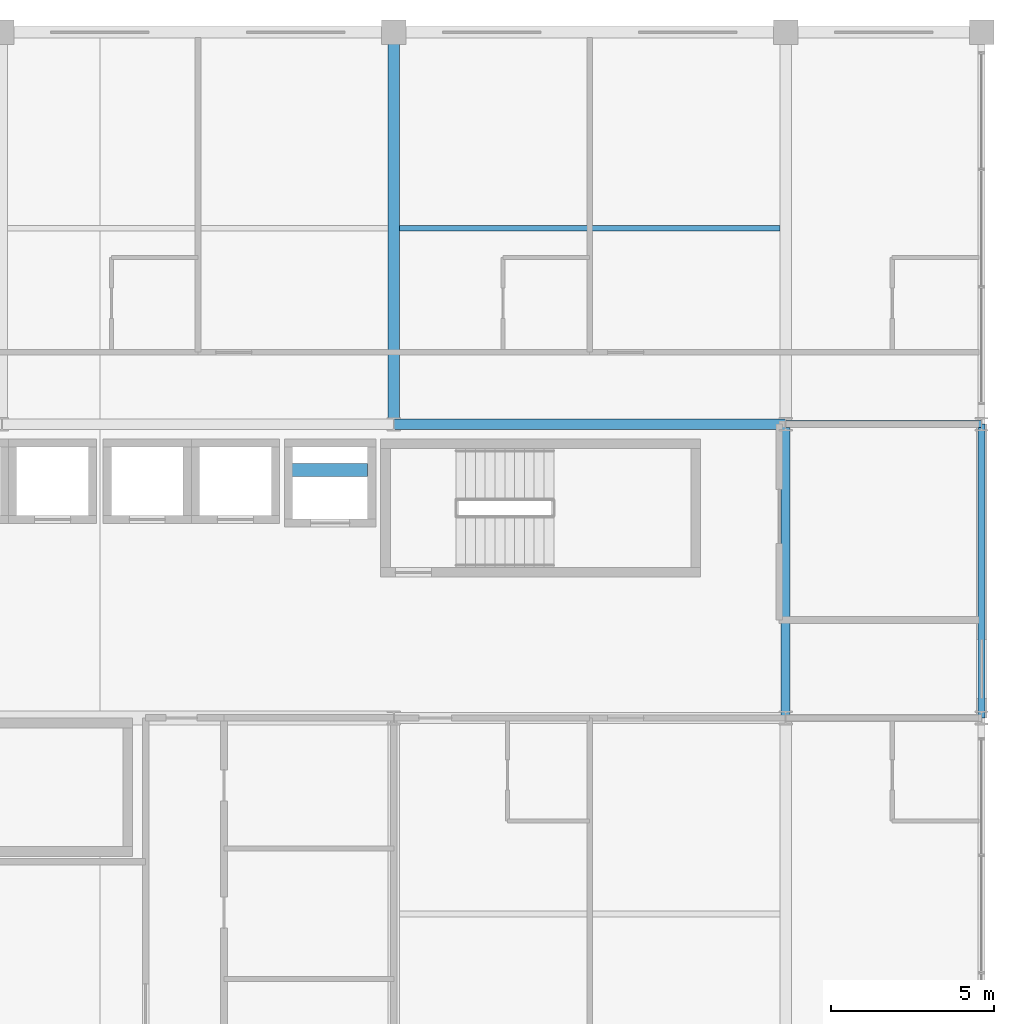
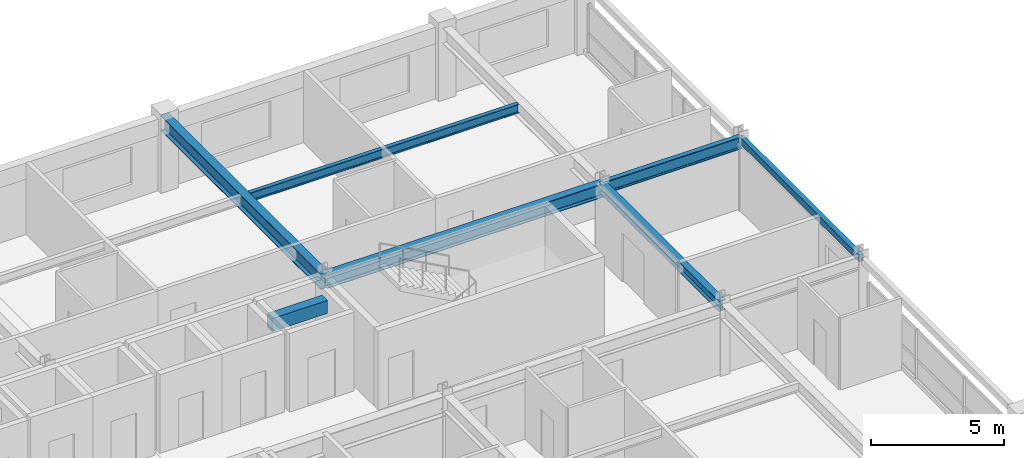
# One storey, part 10 of 20: 7 beams.
"""IFC4 building model written with IfcOpenShell, lengths in metres."""

from ifc_helpers import new_model, si_unit, direction, frame, origin, origin_2d, place, context, subcontext, project, spatial, rectangle, hollow_rectangle, i_section, extrude, material, material_profile, profile_set, type_object, element, save


model = new_model("IFC4")

# Units and contexts
model_context = context("Model", 3, precision=1e-05, world=origin(), true_north=direction((0.0, 1.0)))
body_context = subcontext(model_context, "Body", "Model", "MODEL_VIEW")
ifc_project = project(units=[si_unit("LENGTHUNIT", "METRE"), si_unit("AREAUNIT", "SQUARE_METRE"), si_unit("VOLUMEUNIT", "CUBIC_METRE"), si_unit("PLANEANGLEUNIT", "RADIAN"), si_unit("MASSUNIT", "GRAM", prefix="KILO")], contexts=[model_context])

# Site, building, storey
site_placement = place(None, origin())
site = spatial("IfcSite", under=ifc_project, at=site_placement, CompositionType="ELEMENT")
building_placement = place(site_placement, origin())
building = spatial("IfcBuilding", under=site, at=building_placement, Name="Kaldorvane Square Convention Centre", CompositionType="ELEMENT")
storey_placement = place(building_placement, frame((0.0, 0.0, 52.80000305175781)))
storey = spatial("IfcBuildingStorey", under=building, at=storey_placement, Name="L12", CompositionType="ELEMENT", Elevation=52.80000305175781)

# Beams
ifc_material_1 = material(Name="Steel ASTM A992 Gr. 50", Category="steel")
ifc_material_profile_1 = material_profile(ifc_material_1, i_section(OverallWidth=0.213897705078125, OverallDepth=0.549102783203125, WebThickness=0.0146942138671875, FlangeThickness=0.0236053466796875, FilletRadius=0.0126953125, at=origin_2d()), Name="W21X93")
ifc_profile_set_1 = profile_set([ifc_material_profile_1], Name="Steel ASTM A992 Gr. 50")
beam_type_1 = type_object("IfcBeamType", Name="BM-GR-W21X93", PredefinedType="BEAM", material=ifc_profile_set_1)
beam_1_placement = place(storey_placement, frame((78.0, 105.0, 3.0114898681640625), z_axis=(1.0, 0.0, 0.0), x_axis=(0.0, 1.0, 0.0)))
element("IfcBeam", 1, at=beam_1_placement, inside=storey, type_object=beam_type_1, Name="Primary Girder (L12)", PredefinedType="BEAM", context=body_context, shape_type="SweptSolid", body=[
    extrude(i_section(OverallWidth=0.213897705078125, OverallDepth=0.549102783203125, WebThickness=0.0146942138671875, FlangeThickness=0.0236053466796875, FilletRadius=0.0126953125, at=origin_2d()), origin(), (0.0, 0.0, 1.0), 6.0),
])
ifc_material_profile_2 = material_profile(ifc_material_1, i_section(OverallWidth=0.326507568359375, OverallDepth=0.621795654296875, WebThickness=0.0153961181640625, FlangeThickness=0.0243988037109375, FilletRadius=0.0126953125, at=origin_2d()), Name="W24X131")
ifc_profile_set_2 = profile_set([ifc_material_profile_2], Name="Steel ASTM A992 Gr. 50")
beam_type_2 = type_object("IfcBeamType", Name="BM-GR-W24X131", PredefinedType="BEAM", material=ifc_profile_set_2)
beam_2_placement = place(storey_placement, frame((66.0, 105.0, 2.97509765625), z_axis=(1.0, 0.0, 0.0), x_axis=(0.0, 1.0, 0.0)))
element("IfcBeam", 2, at=beam_2_placement, inside=storey, type_object=beam_type_2, Name="Primary Girder (L12)", PredefinedType="BEAM", context=body_context, shape_type="SweptSolid", body=[
    extrude(i_section(OverallWidth=0.326507568359375, OverallDepth=0.621795654296875, WebThickness=0.0153961181640625, FlangeThickness=0.0243988037109375, FilletRadius=0.0126953125, at=origin_2d()), origin(), (0.0, 0.0, 1.0), 12.0),
])
ifc_material_profile_3 = material_profile(ifc_material_1, i_section(OverallWidth=0.354705810546875, OverallDepth=0.69549560546875, WebThickness=0.0153961181640625, FlangeThickness=0.0251007080078125, FilletRadius=0.01519775390625, at=origin_2d()), Name="W27X146")
ifc_profile_set_3 = profile_set([ifc_material_profile_3], Name="Steel ASTM A992 Gr. 50")
beam_type_3 = type_object("IfcBeamType", Name="BM-GR-W27X146", PredefinedType="BEAM", material=ifc_profile_set_3)
beam_3_placement = place(storey_placement, frame((66.0, 105.0, 2.93829345703125), z_axis=(0.0, 1.0, 0.0), x_axis=(-1.0, 0.0, 0.0)))
element("IfcBeam", 3, at=beam_3_placement, inside=storey, type_object=beam_type_3, Name="Transverse Girder (L12)", PredefinedType="BEAM", context=body_context, shape_type="SweptSolid", body=[
    extrude(i_section(OverallWidth=0.354705810546875, OverallDepth=0.69549560546875, WebThickness=0.0153961181640625, FlangeThickness=0.0251007080078125, FilletRadius=0.01519775390625, at=origin_2d()), origin(), (0.0, 0.0, 1.0), 12.0),
])
ifc_material_profile_4 = material_profile(ifc_material_1, i_section(OverallWidth=0.177398681640625, OverallDepth=0.403106689453125, WebThickness=0.00750732421875, FlangeThickness=0.010894775390625, FilletRadius=0.01019287109375, at=origin_2d()), Name="W16X36")
ifc_profile_set_4 = profile_set([ifc_material_profile_4], Name="Steel ASTM A992 Gr. 50")
beam_type_4 = type_object("IfcBeamType", Name="BM-JS-W16X36", PredefinedType="JOIST", material=ifc_profile_set_4)
beam_4_placement = place(storey_placement, frame((66.17739868164062, 111.0, 3.084503173828125), z_axis=(1.0, 0.0, 0.0), x_axis=(0.0, 1.0, 0.0)))
element("IfcBeam", 4, at=beam_4_placement, inside=storey, type_object=beam_type_4, Name="Secondary Floor Joist (L12)", PredefinedType="JOIST", context=body_context, shape_type="SweptSolid", body=[
    extrude(i_section(OverallWidth=0.177398681640625, OverallDepth=0.403106689453125, WebThickness=0.00750732421875, FlangeThickness=0.010894775390625, FilletRadius=0.01019287109375, at=origin_2d()), origin(), (0.0, 0.0, 1.0), 11.64520263671875),
])
ifc_material_profile_5 = material_profile(ifc_material_1, i_section(OverallWidth=0.2799072265625, OverallDepth=0.462799072265625, WebThickness=0.01080322265625, FlangeThickness=0.017303466796875, FilletRadius=0.01019287109375, at=origin_2d()), Name="W18X76")
ifc_profile_set_5 = profile_set([ifc_material_profile_5], Name="Steel ASTM A992 Gr. 50")
beam_type_5 = type_object("IfcBeamType", Name="BM-JS-W18X76", PredefinedType="JOIST", material=ifc_profile_set_5)
beam_5_placement = place(storey_placement, frame((78.0, 96.0, 3.054595947265625), z_axis=(0.0, 1.0, 0.0), x_axis=(-1.0, 0.0, 0.0)))
element("IfcBeam", 5, at=beam_5_placement, inside=storey, type_object=beam_type_5, Name="Transverse Girder (L12)", PredefinedType="JOIST", context=body_context, shape_type="SweptSolid", body=[
    extrude(i_section(OverallWidth=0.2799072265625, OverallDepth=0.462799072265625, WebThickness=0.01080322265625, FlangeThickness=0.017303466796875, FilletRadius=0.01019287109375, at=origin_2d()), origin(), (0.0, 0.0, 1.0), 9.0),
])
ifc_material_2 = material(Name="Concrete f'c = 42 MPa (Normalweight)", Category="concrete")
ifc_material_profile_6 = material_profile(ifc_material_2, rectangle(XDim=0.399993896484375, YDim=0.600006103515625, at=origin_2d()), Name="RCLN600X400")
ifc_profile_set_6 = profile_set([ifc_material_profile_6], Name="Concrete f'c = 42 MPa (Normalweight)")
beam_type_6 = type_object("IfcBeamType", Name="BM-LN-RC600", PredefinedType="LINTEL", material=ifc_profile_set_6)
beam_6_placement = place(storey_placement, frame((62.80000305175781, 103.60000610351562, 2.9879913330078125), z_axis=(1.0, 0.0, 0.0), x_axis=(0.0, 1.0, 0.0)))
element("IfcBeam", 6, at=beam_6_placement, inside=storey, type_object=beam_type_6, Name="Core Coupling Lintel E (L12)", PredefinedType="LINTEL", context=body_context, shape_type="SweptSolid", body=[
    extrude(rectangle(XDim=0.399993896484375, YDim=0.600006103515625, at=origin_2d()), origin(), (0.0, 0.0, 1.0), 2.399993896484375),
])
ifc_material_3 = material(Name="Steel ASTM A500 Gr. C", Category="steel")
ifc_material_profile_7 = material_profile(ifc_material_3, hollow_rectangle(XDim=0.2032012939453125, YDim=0.3047943115234375, WallThickness=0.0088958740234375, at=origin_2d()), Name="HSS12X8X3/8")
ifc_profile_set_7 = profile_set([ifc_material_profile_7], Name="Steel ASTM A500 Gr. C")
beam_type_7 = type_object("IfcBeamType", Name="BM-SP-HSS12", PredefinedType="SPANDREL", material=ifc_profile_set_7)
beam_7_placement = place(storey_placement, frame((84.0, 96.0, 3.1335906982421875), z_axis=(0.0, 1.0, 0.0), x_axis=(-1.0, 0.0, 0.0)))
element("IfcBeam", 7, at=beam_7_placement, inside=storey, type_object=beam_type_7, Name="End Spandrel (L12)", PredefinedType="SPANDREL", context=body_context, shape_type="SweptSolid", body=[
    extrude(hollow_rectangle(XDim=0.2032012939453125, YDim=0.3047943115234375, WallThickness=0.0088958740234375, at=origin_2d()), origin(), (0.0, 0.0, 1.0), 9.0),
])

save(model, "model.ifc")
